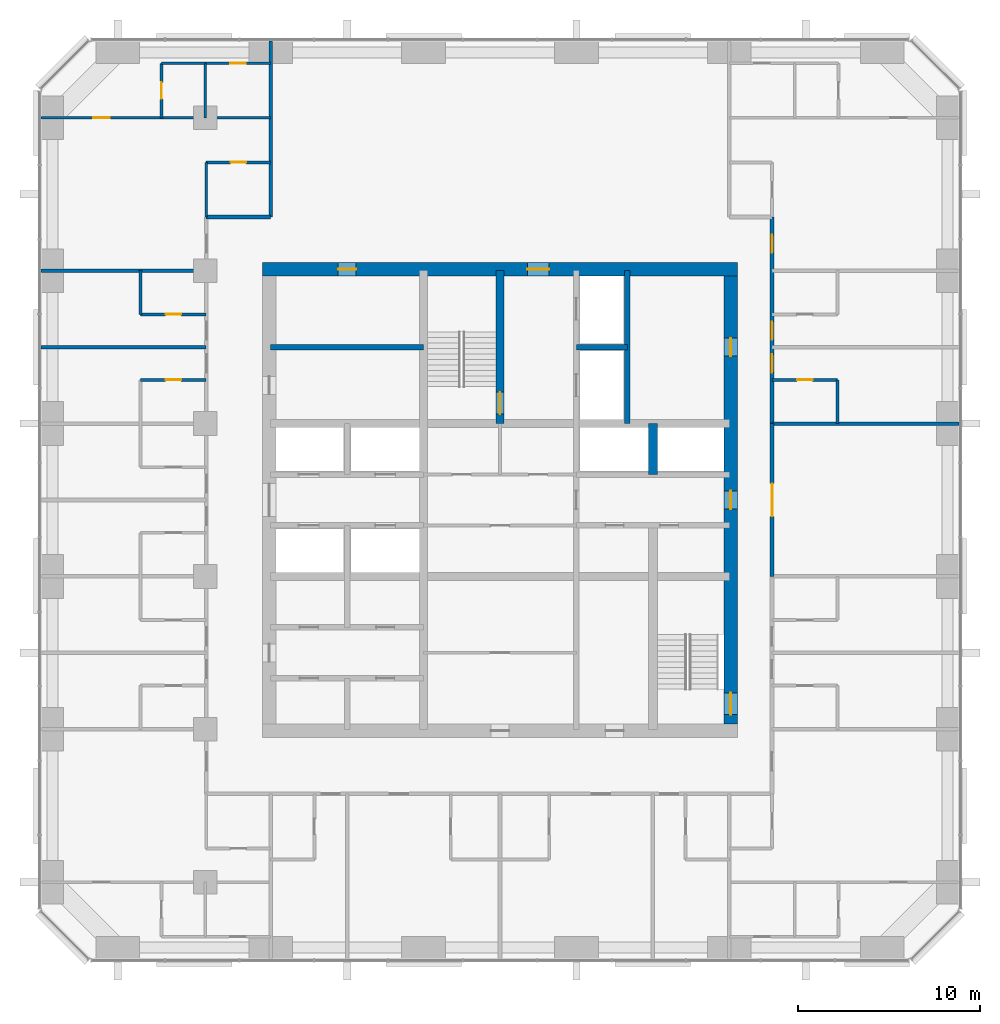
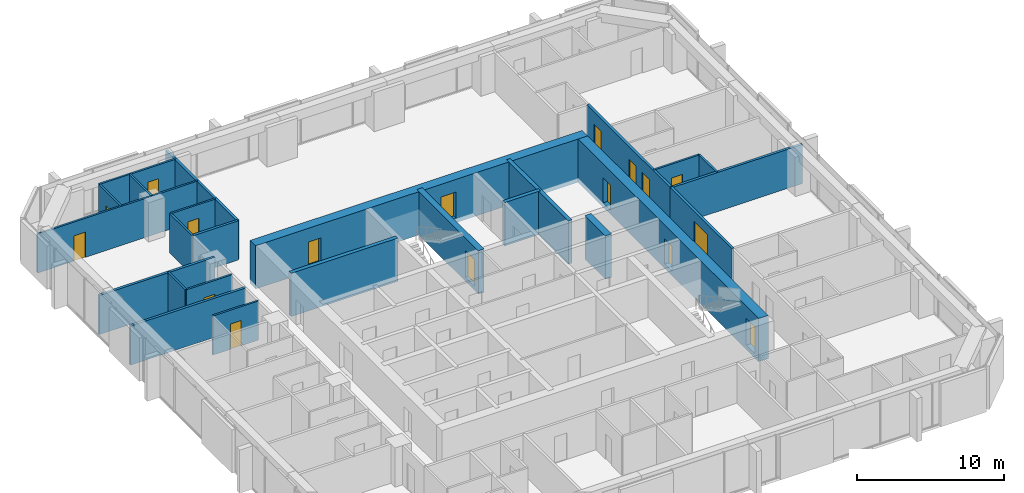
# One storey, part 11 of 13: 26 walls, 17 doors, 17 openings.
"""IFC4 building model written with IfcOpenShell, lengths in metres."""

from ifc_helpers import new_model, si_unit, direction, frame, frame_2d, origin, place, context, subcontext, project, spatial, rectangle, extrude, material, layer, layer_set, type_object, element, fill, save


model = new_model("IFC4")

# Units and contexts
model_context = context("Model", 3, precision=1e-05, world=origin(), true_north=direction((0.0, 1.0)))
body_context = subcontext(model_context, "Body", "Model", "MODEL_VIEW")
ifc_project = project(units=[si_unit("LENGTHUNIT", "METRE"), si_unit("AREAUNIT", "SQUARE_METRE"), si_unit("VOLUMEUNIT", "CUBIC_METRE"), si_unit("PLANEANGLEUNIT", "RADIAN"), si_unit("MASSUNIT", "GRAM", prefix="KILO")], contexts=[model_context])

# Site, building, storey
site_placement = place(None, origin())
site = spatial("IfcSite", under=ifc_project, at=site_placement, CompositionType="ELEMENT")
building_placement = place(site_placement, origin())
building = spatial("IfcBuilding", under=site, at=building_placement, Name="Dunama Terrace Hotel", CompositionType="ELEMENT")
storey_placement = place(building_placement, frame((0.0, 0.0, 173.39990234375)))
storey = spatial("IfcBuildingStorey", under=building, at=storey_placement, Name="L44", CompositionType="ELEMENT", Elevation=173.39990234375)

# Walls
ifc_material_1 = material(Name="Gypsum board partition", Category="masonry")
ifc_layer_1 = layer(ifc_material_1, 0.14990234375)
ifc_layer_set_1 = layer_set([ifc_layer_1], Name="Bathroom partition 150")
wall_type_1 = type_object("IfcWallType", Name="Bathroom partition 150", PredefinedType="PARTITIONING", material=ifc_layer_set_1)
wall_1_placement = place(storey_placement, frame((9.64990234375, 39.60009765625, 0.0), z_axis=(0.0, 0.0, 1.0), x_axis=(0.0, 1.0, 0.0)))
element("IfcWall", 1, at=wall_1_placement, inside=storey, type_object=wall_type_1, Name="Bathroom partition 150 L44", PredefinedType="PARTITIONING", context=body_context, shape_type="SweptSolid", body=[
    extrude(rectangle(XDim=2.39990234375, YDim=0.14990234375, at=frame_2d((1.199951171875, 0.0))), origin(), (0.0, 0.0, 1.0), 3.25),
])
wall_2_placement = place(storey_placement, frame((13.25, 44.949951171875, 0.0), z_axis=(0.0, 0.0, 1.0), x_axis=(0.0, 1.0, 0.0)))
element("IfcWall", 2, at=wall_2_placement, inside=storey, type_object=wall_type_1, Name="Bathroom partition 150 L44", PredefinedType="PARTITIONING", context=body_context, shape_type="SweptSolid", body=[
    extrude(rectangle(XDim=3.0, YDim=0.14990234375, at=frame_2d((1.5, 0.0))), origin(), (0.0, 0.0, 1.0), 3.25),
])
wall_3_placement = place(storey_placement, frame((47.949951171875, 33.60009765625, 0.0), z_axis=(0.0, 0.0, 1.0), x_axis=(0.0, 1.0, 0.0)))
element("IfcWall", 3, at=wall_3_placement, inside=storey, type_object=wall_type_1, Name="Bathroom partition 150 L44", PredefinedType="PARTITIONING", context=body_context, shape_type="SweptSolid", body=[
    extrude(rectangle(XDim=2.39990234375, YDim=0.14990234375, at=frame_2d((1.199951171875, 0.0))), origin(), (0.0, 0.0, 1.0), 3.25),
])

# Wall, opening, door
wall_4_placement = place(storey_placement, frame((9.64990234375, 36.0, 0.0), z_axis=(0.0, 0.0, 1.0), x_axis=(1.0, 0.0, 0.0)))
wall_4 = element("IfcWall", 4, at=wall_4_placement, inside=storey, type_object=wall_type_1, Name="Bathroom partition 150 L44", PredefinedType="PARTITIONING", context=body_context, shape_type="SweptSolid", body=[
    extrude(rectangle(XDim=3.60009765625, YDim=0.14990234375, at=frame_2d((1.800048828125, 0.0))), origin(), (0.0, 0.0, 1.0), 3.25),
])
opening_1_placement = place(wall_4_placement, frame((1.375, 0.0, 0.0)))
opening_1 = element("IfcOpeningElement", 5, at=opening_1_placement, cuts=wall_4, Name="Opening L42-44-035", PredefinedType="OPENING", context=body_context, shape_type="SweptSolid", body=[
    extrude(rectangle(XDim=0.85009765625, YDim=2.10009765625, at=frame_2d((0.425048828125, 1.050048828125))), frame((0.0, 0.0849609375, 0.0), z_axis=(0.0, -1.0, 0.0), x_axis=(1.0, 0.0, 0.0)), (0.0, 0.0, 1.0), 0.169921875),
])
ifc_material_2 = material(Name="Timber door with steel frame", Category="steel")
door_type_1 = type_object("IfcDoorType", Name="Bathroom door 850", OperationType="SINGLE_SWING_LEFT", PredefinedType="DOOR", material=ifc_material_2)
door_1_placement = place(opening_1_placement, frame((0.85009765625, 0.0, 0.0), z_axis=(0.0, 0.0, 1.0), x_axis=(-1.0, 0.0, 0.0)))
door_1 = element("IfcDoor", 6, at=door_1_placement, inside=storey, type_object=door_type_1, Name="Door to en-suite bathroom L42-44-035, type D2", OperationType="SINGLE_SWING_LEFT", OverallHeight=2.10009765625, OverallWidth=0.85009765625, PredefinedType="DOOR", context=body_context, shape_type="SweptSolid", body=[
    extrude(rectangle(XDim=0.85009765625, YDim=2.10009765625, at=frame_2d((0.425048828125, 1.050048828125))), frame((0.0, 0.025146484375, 0.0), z_axis=(0.0, -1.0, 0.0), x_axis=(1.0, 0.0, 0.0)), (0.0, 0.0, 1.0), 0.050048828125),
])
fill(opening_1, door_1)

wall_5_placement = place(storey_placement, frame((44.35009765625, 36.0, 0.0), z_axis=(0.0, 0.0, 1.0), x_axis=(1.0, 0.0, 0.0)))
wall_5 = element("IfcWall", 7, at=wall_5_placement, inside=storey, type_object=wall_type_1, Name="Bathroom partition 150 L44", PredefinedType="PARTITIONING", context=body_context, shape_type="SweptSolid", body=[
    extrude(rectangle(XDim=3.599853515625, YDim=0.14990234375, at=frame_2d((1.7998046875, 0.0))), origin(), (0.0, 0.0, 1.0), 3.25),
])
opening_2_placement = place(wall_5_placement, frame((1.375, 0.0, 0.0)))
opening_2 = element("IfcOpeningElement", 8, at=opening_2_placement, cuts=wall_5, Name="Opening L42-44-023", PredefinedType="OPENING", context=body_context, shape_type="SweptSolid", body=[
    extrude(rectangle(XDim=0.85009765625, YDim=2.10009765625, at=frame_2d((0.425048828125, 1.050048828125))), frame((0.0, 0.0849609375, 0.0), z_axis=(0.0, -1.0, 0.0), x_axis=(1.0, 0.0, 0.0)), (0.0, 0.0, 1.0), 0.169921875),
])
door_2_placement = place(opening_2_placement, frame((0.85009765625, 0.0, 0.0), z_axis=(0.0, 0.0, 1.0), x_axis=(-1.0, 0.0, 0.0)))
door_2 = element("IfcDoor", 9, at=door_2_placement, inside=storey, type_object=door_type_1, Name="Door to en-suite bathroom L42-44-023, type D2", OperationType="SINGLE_SWING_RIGHT", OverallHeight=2.10009765625, OverallWidth=0.85009765625, PredefinedType="DOOR", context=body_context, shape_type="SweptSolid", body=[
    extrude(rectangle(XDim=0.85009765625, YDim=2.10009765625, at=frame_2d((0.425048828125, 1.050048828125))), frame((0.0, 0.025146484375, 0.0), z_axis=(0.0, -1.0, 0.0), x_axis=(1.0, 0.0, 0.0)), (0.0, 0.0, 1.0), 0.050048828125),
])
fill(opening_2, door_2)

wall_6_placement = place(storey_placement, frame((9.64990234375, 39.60009765625, 0.0), z_axis=(0.0, 0.0, 1.0), x_axis=(1.0, 0.0, 0.0)))
wall_6 = element("IfcWall", 10, at=wall_6_placement, inside=storey, type_object=wall_type_1, Name="Bathroom partition 150 L44", PredefinedType="PARTITIONING", context=body_context, shape_type="SweptSolid", body=[
    extrude(rectangle(XDim=3.60009765625, YDim=0.14990234375, at=frame_2d((1.800048828125, 0.0))), origin(), (0.0, 0.0, 1.0), 3.25),
])
opening_3_placement = place(wall_6_placement, frame((1.375, 0.0, 0.0)))
opening_3 = element("IfcOpeningElement", 11, at=opening_3_placement, cuts=wall_6, Name="Opening L42-44-037", PredefinedType="OPENING", context=body_context, shape_type="SweptSolid", body=[
    extrude(rectangle(XDim=0.85009765625, YDim=2.10009765625, at=frame_2d((0.425048828125, 1.050048828125))), frame((0.0, 0.0849609375, 0.0), z_axis=(0.0, -1.0, 0.0), x_axis=(1.0, 0.0, 0.0)), (0.0, 0.0, 1.0), 0.169921875),
])
door_3_placement = place(opening_3_placement, origin())
door_3 = element("IfcDoor", 12, at=door_3_placement, inside=storey, type_object=door_type_1, Name="Door to en-suite bathroom L42-44-037, type D2", OperationType="SINGLE_SWING_RIGHT", OverallHeight=2.10009765625, OverallWidth=0.85009765625, PredefinedType="DOOR", context=body_context, shape_type="SweptSolid", body=[
    extrude(rectangle(XDim=0.85009765625, YDim=2.10009765625, at=frame_2d((0.425048828125, 1.050048828125))), frame((0.0, 0.02490234375, 0.0), z_axis=(0.0, -1.0, 0.0), x_axis=(1.0, 0.0, 0.0)), (0.0, 0.0, 1.0), 0.050048828125),
])
fill(opening_3, door_3)

wall_7_placement = place(storey_placement, frame((13.25, 47.949951171875, 0.0), z_axis=(0.0, 0.0, 1.0), x_axis=(1.0, 0.0, 0.0)))
wall_7 = element("IfcWall", 13, at=wall_7_placement, inside=storey, type_object=wall_type_1, Name="Bathroom partition 150 L44", PredefinedType="PARTITIONING", context=body_context, shape_type="SweptSolid", body=[
    extrude(rectangle(XDim=3.550048828125, YDim=0.14990234375, at=frame_2d((1.77490234375, 0.0))), origin(), (0.0, 0.0, 1.0), 3.25),
])
opening_4_placement = place(wall_7_placement, frame((1.35009765625, 0.0, 0.0)))
opening_4 = element("IfcOpeningElement", 14, at=opening_4_placement, cuts=wall_7, Name="Opening L42-44-054", PredefinedType="OPENING", context=body_context, shape_type="SweptSolid", body=[
    extrude(rectangle(XDim=0.85009765625, YDim=2.10009765625, at=frame_2d((0.425048828125, 1.050048828125))), frame((0.0, 0.0849609375, 0.0), z_axis=(0.0, -1.0, 0.0), x_axis=(1.0, 0.0, 0.0)), (0.0, 0.0, 1.0), 0.169921875),
])
door_4_placement = place(opening_4_placement, frame((0.85009765625, 0.0, 0.0), z_axis=(0.0, 0.0, 1.0), x_axis=(-1.0, 0.0, 0.0)))
door_4 = element("IfcDoor", 15, at=door_4_placement, inside=storey, type_object=door_type_1, Name="Door to powder room L42-44-054, type D2", OperationType="SINGLE_SWING_LEFT", OverallHeight=2.10009765625, OverallWidth=0.85009765625, PredefinedType="DOOR", context=body_context, shape_type="SweptSolid", body=[
    extrude(rectangle(XDim=0.85009765625, YDim=2.10009765625, at=frame_2d((0.425048828125, 1.050048828125))), frame((0.0, 0.025146484375, 0.0), z_axis=(0.0, -1.0, 0.0), x_axis=(1.0, 0.0, 0.0)), (0.0, 0.0, 1.0), 0.050048828125),
])
fill(opening_4, door_4)

wall_8_placement = place(storey_placement, frame((13.199951171875, 53.39990234375, 0.0), z_axis=(0.0, 0.0, 1.0), x_axis=(1.0, 0.0, 0.0)))
wall_8 = element("IfcWall", 16, at=wall_8_placement, inside=storey, type_object=wall_type_1, Name="Bathroom partition 150 L44", PredefinedType="PARTITIONING", context=body_context, shape_type="SweptSolid", body=[
    extrude(rectangle(XDim=3.60009765625, YDim=0.14990234375, at=frame_2d((1.800048828125, 0.0))), origin(), (0.0, 0.0, 1.0), 3.25),
])
opening_5_placement = place(wall_8_placement, frame((1.375, 0.0, 0.0)))
opening_5 = element("IfcOpeningElement", 17, at=opening_5_placement, cuts=wall_8, Name="Opening L42-44-056", PredefinedType="OPENING", context=body_context, shape_type="SweptSolid", body=[
    extrude(rectangle(XDim=0.85009765625, YDim=2.10009765625, at=frame_2d((0.425048828125, 1.050048828125))), frame((0.0, 0.0849609375, 0.0), z_axis=(0.0, -1.0, 0.0), x_axis=(1.0, 0.0, 0.0)), (0.0, 0.0, 1.0), 0.169921875),
])
door_5_placement = place(opening_5_placement, frame((0.85009765625, 0.0, 0.0), z_axis=(0.0, 0.0, 1.0), x_axis=(-1.0, 0.0, 0.0)))
door_5 = element("IfcDoor", 18, at=door_5_placement, inside=storey, type_object=door_type_1, Name="Door to en-suite bathroom L42-44-056, type D2", OperationType="SINGLE_SWING_LEFT", OverallHeight=2.10009765625, OverallWidth=0.85009765625, PredefinedType="DOOR", context=body_context, shape_type="SweptSolid", body=[
    extrude(rectangle(XDim=0.85009765625, YDim=2.10009765625, at=frame_2d((0.425048828125, 1.050048828125))), frame((0.0, 0.025146484375, 0.0), z_axis=(0.0, -1.0, 0.0), x_axis=(1.0, 0.0, 0.0)), (0.0, 0.0, 1.0), 0.050048828125),
])
fill(opening_5, door_5)

# Walls
ifc_material_3 = material(Name="Concrete C50/60", Category="concrete")
ifc_layer_2 = layer(ifc_material_3, 0.300048828125)
ifc_layer_set_2 = layer_set([ifc_layer_2], Name="Core inner wall 300")
wall_type_2 = type_object("IfcWallType", Name="Core inner wall 300", PredefinedType="SHEAR", material=ifc_layer_set_2)
for number, where, z_axis, x_axis, name in (
    (19, (36.39990234375, 33.60009765625, -0.349853515625), (0.0, 0.0, 1.0), (0.0, 1.0, 0.0), "Core inner wall 300 L44"),
    (20, (16.800048828125, 37.800048828125, -0.349853515625), (0.0, 0.0, 1.0), (1.0, 0.0, 0.0), "Core inner wall 300 L44"),
):
    element("IfcWall", number, at=place(storey_placement, frame(where, z_axis=z_axis, x_axis=x_axis)), inside=storey, type_object=wall_type_2, Name=name, PredefinedType="SHEAR", context=body_context, shape_type="SweptSolid", body=[
        extrude(rectangle(XDim=8.39990234375, YDim=0.300048828125, at=frame_2d((4.199951171875, 0.0))), origin(), (0.0, 0.0, 1.0), 3.599853515625),
    ])
wall_9_placement = place(storey_placement, frame((33.60009765625, 37.800048828125, -0.349853515625), z_axis=(0.0, 0.0, 1.0), x_axis=(1.0, 0.0, 0.0)))
element("IfcWall", 21, at=wall_9_placement, inside=storey, type_object=wall_type_2, Name="Core inner wall 300 L44", PredefinedType="SHEAR", context=body_context, shape_type="SweptSolid", body=[
    extrude(rectangle(XDim=2.7998046875, YDim=0.300048828125, at=frame_2d((1.39990234375, 0.0))), origin(), (0.0, 0.0, 1.0), 3.599853515625),
])

# Wall, opening, door
ifc_material_4 = material(Name="Concrete C50/60", Category="concrete")
ifc_layer_3 = layer(ifc_material_4, 0.449951171875)
ifc_layer_set_3 = layer_set([ifc_layer_3], Name="Core inner wall 450")
wall_type_3 = type_object("IfcWallType", Name="Core inner wall 450", PredefinedType="SHEAR", material=ifc_layer_set_3)
wall_10_placement = place(storey_placement, frame((29.39990234375, 33.60009765625, -0.349853515625), z_axis=(0.0, 0.0, 1.0), x_axis=(0.0, 1.0, 0.0)))
wall_10 = element("IfcWall", 22, at=wall_10_placement, inside=storey, type_object=wall_type_3, Name="Core inner wall 450 L44", PredefinedType="SHEAR", context=body_context, shape_type="SweptSolid", body=[
    extrude(rectangle(XDim=8.39990234375, YDim=0.449951171875, at=frame_2d((4.199951171875, 0.0))), origin(), (0.0, 0.0, 1.0), 3.599853515625),
])
opening_6_placement = place(wall_10_placement, frame((0.52490234375, 0.0, 0.35009765625)))
opening_6 = element("IfcOpeningElement", 23, at=opening_6_placement, cuts=wall_10, Name="Opening L42-44-001", PredefinedType="OPENING", context=body_context, shape_type="SweptSolid", body=[
    extrude(rectangle(XDim=1.199951171875, YDim=2.199951171875, at=frame_2d((0.60009765625, 1.10009765625))), frame((0.0, 0.23486328125, 0.0), z_axis=(0.0, -1.0, 0.0), x_axis=(1.0, 0.0, 0.0)), (0.0, 0.0, 1.0), 0.469970703125),
])
ifc_material_5 = material(Name="Timber door with steel frame", Category="steel")
door_type_2 = type_object("IfcDoorType", Name="Stair door 1200", OperationType="SINGLE_SWING_LEFT", PredefinedType="DOOR", material=ifc_material_5)
door_6_placement = place(opening_6_placement, origin())
door_6 = element("IfcDoor", 24, at=door_6_placement, inside=storey, type_object=door_type_2, Name="Stair door ST1 L42-44-001, type D5", OperationType="SINGLE_SWING_LEFT", OverallHeight=2.199951171875, OverallWidth=1.199951171875, PredefinedType="DOOR", context=body_context, shape_type="SweptSolid", body=[
    extrude(rectangle(XDim=1.199951171875, YDim=2.199951171875, at=frame_2d((0.60009765625, 1.10009765625))), frame((0.0, 0.02490234375, 0.0), z_axis=(0.0, -1.0, 0.0), x_axis=(1.0, 0.0, 0.0)), (0.0, 0.0, 1.0), 0.050048828125),
])
fill(opening_6, door_6)

# Wall
ifc_material_6 = material(Name="Concrete C50/60", Category="concrete")
ifc_layer_4 = layer(ifc_material_6, 0.5)
ifc_layer_set_4 = layer_set([ifc_layer_4], Name="Core inner wall 500")
wall_type_4 = type_object("IfcWallType", Name="Core inner wall 500", PredefinedType="SHEAR", material=ifc_layer_set_4)
wall_11_placement = place(storey_placement, frame((37.800048828125, 30.800048828125, -0.349853515625), z_axis=(0.0, 0.0, 1.0), x_axis=(0.0, 1.0, 0.0)))
element("IfcWall", 25, at=wall_11_placement, inside=storey, type_object=wall_type_4, Name="Core inner wall 500 L44", PredefinedType="SHEAR", context=body_context, shape_type="SweptSolid", body=[
    extrude(rectangle(XDim=2.800048828125, YDim=0.5, at=frame_2d((1.39990234375, 0.0))), origin(), (0.0, 0.0, 1.0), 3.599853515625),
])

# Wall, openings, doors
ifc_material_7 = material(Name="Concrete C60/75", Category="concrete")
ifc_layer_5 = layer(ifc_material_7, 0.75)
ifc_layer_set_5 = layer_set([ifc_layer_5], Name="Core wall 750")
wall_type_5 = type_object("IfcWallType", Name="Core wall 750", PredefinedType="SHEAR", material=ifc_layer_set_5)
wall_12_placement = place(storey_placement, frame((42.074951171875, 17.10009765625, -0.349853515625), z_axis=(0.0, 0.0, 1.0), x_axis=(0.0, 1.0, 0.0)))
wall_12 = element("IfcWall", 26, at=wall_12_placement, inside=storey, type_object=wall_type_5, Name="Core wall east L44", PredefinedType="SHEAR", context=body_context, shape_type="SweptSolid", body=[
    extrude(rectangle(XDim=24.599853515625, YDim=0.75, at=frame_2d((12.2998046875, 0.0))), origin(), (0.0, 0.0, 1.0), 3.599853515625),
])
opening_7_placement = place(wall_12_placement, frame((0.5, 0.0, 0.35009765625)))
opening_7 = element("IfcOpeningElement", 27, at=opening_7_placement, cuts=wall_12, Name="Opening L42-44-002", PredefinedType="OPENING", context=body_context, shape_type="SweptSolid", body=[
    extrude(rectangle(XDim=1.199951171875, YDim=2.199951171875, at=frame_2d((0.60009765625, 1.10009765625))), frame((0.0, 0.385009765625, 0.0), z_axis=(0.0, -1.0, 0.0), x_axis=(1.0, 0.0, 0.0)), (0.0, 0.0, 1.0), 0.77001953125),
])
opening_8_placement = place(wall_12_placement, frame((11.800048828125, 0.0, 0.35009765625)))
opening_8 = element("IfcOpeningElement", 28, at=opening_8_placement, cuts=wall_12, Name="Opening L42-44-072", PredefinedType="OPENING", context=body_context, shape_type="SweptSolid", body=[
    extrude(rectangle(XDim=1.0, YDim=2.10009765625, at=frame_2d((0.5, 1.050048828125))), frame((0.0, 0.385009765625, 0.0), z_axis=(0.0, -1.0, 0.0), x_axis=(1.0, 0.0, 0.0)), (0.0, 0.0, 1.0), 0.77001953125),
])
opening_9_placement = place(wall_12_placement, frame((20.199951171875, 0.0, 0.35009765625)))
opening_9 = element("IfcOpeningElement", 29, at=opening_9_placement, cuts=wall_12, Name="Opening L42-44-074", PredefinedType="OPENING", context=body_context, shape_type="SweptSolid", body=[
    extrude(rectangle(XDim=1.0, YDim=2.10009765625, at=frame_2d((0.5, 1.050048828125))), frame((0.0, 0.385009765625, 0.0), z_axis=(0.0, -1.0, 0.0), x_axis=(1.0, 0.0, 0.0)), (0.0, 0.0, 1.0), 0.77001953125),
])
ifc_material_8 = material(Name="Timber door with steel frame", Category="steel")
door_type_3 = type_object("IfcDoorType", Name="Service door 1000", OperationType="SINGLE_SWING_LEFT", PredefinedType="DOOR", material=ifc_material_8)
door_7_placement = place(opening_8_placement, origin())
door_7 = element("IfcDoor", 30, at=door_7_placement, inside=storey, type_object=door_type_3, Name="Door to service lobby L42-44-072, type D7", OperationType="SINGLE_SWING_RIGHT", OverallHeight=2.10009765625, OverallWidth=1.0, PredefinedType="DOOR", context=body_context, shape_type="SweptSolid", body=[
    extrude(rectangle(XDim=1.0, YDim=2.10009765625, at=frame_2d((0.5, 1.050048828125))), frame((0.0, 0.02490234375, 0.0), z_axis=(0.0, -1.0, 0.0), x_axis=(1.0, 0.0, 0.0)), (0.0, 0.0, 1.0), 0.050048828125),
])
fill(opening_8, door_7)
door_8_placement = place(opening_9_placement, origin())
door_8 = element("IfcDoor", 31, at=door_8_placement, inside=storey, type_object=door_type_3, Name="Door to ice and vending room L42-44-074, type D7", OperationType="SINGLE_SWING_LEFT", OverallHeight=2.10009765625, OverallWidth=1.0, PredefinedType="DOOR", context=body_context, shape_type="SweptSolid", body=[
    extrude(rectangle(XDim=1.0, YDim=2.10009765625, at=frame_2d((0.5, 1.050048828125))), frame((0.0, 0.02490234375, 0.0), z_axis=(0.0, -1.0, 0.0), x_axis=(1.0, 0.0, 0.0)), (0.0, 0.0, 1.0), 0.050048828125),
])
fill(opening_9, door_8)
door_9_placement = place(opening_7_placement, origin())
door_9 = element("IfcDoor", 32, at=door_9_placement, inside=storey, type_object=door_type_2, Name="Stair door ST2 L42-44-002, type D5", OperationType="SINGLE_SWING_LEFT", OverallHeight=2.199951171875, OverallWidth=1.199951171875, PredefinedType="DOOR", context=body_context, shape_type="SweptSolid", body=[
    extrude(rectangle(XDim=1.199951171875, YDim=2.199951171875, at=frame_2d((0.60009765625, 1.10009765625))), frame((0.0, 0.02490234375, 0.0), z_axis=(0.0, -1.0, 0.0), x_axis=(1.0, 0.0, 0.0)), (0.0, 0.0, 1.0), 0.050048828125),
])
fill(opening_7, door_9)

wall_13_placement = place(storey_placement, frame((42.449951171875, 42.074951171875, -0.349853515625), z_axis=(0.0, 0.0, 1.0), x_axis=(-1.0, 0.0, 0.0)))
wall_13 = element("IfcWall", 33, at=wall_13_placement, inside=storey, type_object=wall_type_5, Name="Core wall north L44", PredefinedType="SHEAR", context=body_context, shape_type="SweptSolid", body=[
    extrude(rectangle(XDim=26.099853515625, YDim=0.75, at=frame_2d((13.0498046875, 0.0))), origin(), (0.0, 0.0, 1.0), 3.599853515625),
])
opening_10_placement = place(wall_13_placement, frame((20.949951171875, 0.0, 0.35009765625)))
opening_10 = element("IfcOpeningElement", 34, at=opening_10_placement, cuts=wall_13, Name="Opening L42-44-065", PredefinedType="OPENING", context=body_context, shape_type="SweptSolid", body=[
    extrude(rectangle(XDim=1.0, YDim=2.10009765625, at=frame_2d((0.5, 1.050048828125))), frame((0.0, 0.385009765625, 0.0), z_axis=(0.0, -1.0, 0.0), x_axis=(1.0, 0.0, 0.0)), (0.0, 0.0, 1.0), 0.77001953125),
])
opening_11_placement = place(wall_13_placement, frame((10.35009765625, 0.0, 0.35009765625)))
opening_11 = element("IfcOpeningElement", 35, at=opening_11_placement, cuts=wall_13, Name="Opening L42-44-073", PredefinedType="OPENING", context=body_context, shape_type="SweptSolid", body=[
    extrude(rectangle(XDim=1.199951171875, YDim=2.199951171875, at=frame_2d((0.60009765625, 1.10009765625))), frame((0.0, 0.385009765625, 0.0), z_axis=(0.0, -1.0, 0.0), x_axis=(1.0, 0.0, 0.0)), (0.0, 0.0, 1.0), 0.77001953125),
])
ifc_material_9 = material(Name="Timber door with steel frame", Category="steel")
door_type_4 = type_object("IfcDoorType", Name="Firefighting lobby door 1200", OperationType="SINGLE_SWING_LEFT", PredefinedType="DOOR", material=ifc_material_9)
door_10_placement = place(opening_11_placement, origin())
door_10 = element("IfcDoor", 36, at=door_10_placement, inside=storey, type_object=door_type_4, Name="Door to firefighting lobby L42-44-073, type D4", OperationType="SINGLE_SWING_RIGHT", OverallHeight=2.199951171875, OverallWidth=1.199951171875, PredefinedType="DOOR", context=body_context, shape_type="SweptSolid", body=[
    extrude(rectangle(XDim=1.199951171875, YDim=2.199951171875, at=frame_2d((0.60009765625, 1.10009765625))), frame((0.0, 0.02490234375, 0.0), z_axis=(0.0, -1.0, 0.0), x_axis=(1.0, 0.0, 0.0)), (0.0, 0.0, 1.0), 0.050048828125),
])
fill(opening_11, door_10)
door_11_placement = place(opening_10_placement, origin())
door_11 = element("IfcDoor", 37, at=door_11_placement, inside=storey, type_object=door_type_3, Name="Door to communications and riser room L42-44-065, type D7", OperationType="SINGLE_SWING_LEFT", OverallHeight=2.10009765625, OverallWidth=1.0, PredefinedType="DOOR", context=body_context, shape_type="SweptSolid", body=[
    extrude(rectangle(XDim=1.0, YDim=2.10009765625, at=frame_2d((0.5, 1.050048828125))), frame((0.0, 0.02490234375, 0.0), z_axis=(0.0, -1.0, 0.0), x_axis=(1.0, 0.0, 0.0)), (0.0, 0.0, 1.0), 0.050048828125),
])
fill(opening_10, door_11)

# Wall
ifc_material_10 = material(Name="Concrete blockwork", Category="masonry")
ifc_layer_6 = layer(ifc_material_10, 0.199951171875)
ifc_layer_set_6 = layer_set([ifc_layer_6], Name="Corridor partition 200")
wall_type_6 = type_object("IfcWallType", Name="Corridor partition 200", PredefinedType="PARTITIONING", material=ifc_layer_set_6)
wall_14_placement = place(storey_placement, frame((16.800048828125, 44.949951171875, 0.0), z_axis=(0.0, 0.0, 1.0), x_axis=(0.0, 1.0, 0.0)))
element("IfcWall", 38, at=wall_14_placement, inside=storey, type_object=wall_type_6, Name="Corridor partition 200 L44", PredefinedType="PARTITIONING", context=body_context, shape_type="SweptSolid", body=[
    extrude(rectangle(XDim=9.66796875, YDim=0.199951171875, at=frame_2d((4.833984375, 0.0))), origin(), (0.0, 0.0, 1.0), 3.25),
])

# Wall, opening, door
wall_15_placement = place(storey_placement, frame((44.35009765625, 25.199951171875, 0.0), z_axis=(0.0, 0.0, 1.0), x_axis=(0.0, 1.0, 0.0)))
wall_15 = element("IfcWall", 39, at=wall_15_placement, inside=storey, type_object=wall_type_6, Name="Corridor partition 200 L44", PredefinedType="PARTITIONING", context=body_context, shape_type="SweptSolid", body=[
    extrude(rectangle(XDim=8.400146484375, YDim=0.199951171875, at=frame_2d((4.2001953125, 0.0))), origin(), (0.0, 0.0, 1.0), 3.25),
])
opening_12_placement = place(wall_15_placement, frame((3.300048828125, 0.0, 0.0)))
opening_12 = element("IfcOpeningElement", 40, at=opening_12_placement, cuts=wall_15, Name="Opening L42-44-021", PredefinedType="OPENING", context=body_context, shape_type="SweptSolid", body=[
    extrude(rectangle(XDim=1.800048828125, YDim=2.39990234375, at=frame_2d((0.89990234375, 1.199951171875))), frame((0.0, 0.10986328125, 0.0), z_axis=(0.0, -1.0, 0.0), x_axis=(1.0, 0.0, 0.0)), (0.0, 0.0, 1.0), 0.219970703125),
])
ifc_material_11 = material(Name="Aluminium-framed glazed door", Category="aluminium")
door_type_5 = type_object("IfcDoorType", Name="Glazed double door 1800", OperationType="DOUBLE_DOOR_DOUBLE_SWING", PredefinedType="DOOR", material=ifc_material_11)
door_12_placement = place(opening_12_placement, origin())
door_12 = element("IfcDoor", 41, at=door_12_placement, inside=storey, type_object=door_type_5, Name="Door to boardroom L42-44-021, type D8", OperationType="DOUBLE_DOOR_DOUBLE_SWING", OverallHeight=2.39990234375, OverallWidth=1.800048828125, PredefinedType="DOOR", context=body_context, shape_type="SweptSolid", body=[
    extrude(rectangle(XDim=1.800048828125, YDim=2.39990234375, at=frame_2d((0.89990234375, 1.199951171875))), frame((0.0, 0.02490234375, 0.0), z_axis=(0.0, -1.0, 0.0), x_axis=(1.0, 0.0, 0.0)), (0.0, 0.0, 1.0), 0.050048828125),
])
fill(opening_12, door_12)

# Wall
wall_16_placement = place(storey_placement, frame((13.25, 44.949951171875, 0.0), z_axis=(0.0, 0.0, 1.0), x_axis=(1.0, 0.0, 0.0)))
element("IfcWall", 42, at=wall_16_placement, inside=storey, type_object=wall_type_6, Name="Corridor partition 200 L44", PredefinedType="PARTITIONING", context=body_context, shape_type="SweptSolid", body=[
    extrude(rectangle(XDim=3.550048828125, YDim=0.199951171875, at=frame_2d((1.77490234375, 0.0))), origin(), (0.0, 0.0, 1.0), 3.25),
])

# Wall, openings, doors
wall_17_placement = place(storey_placement, frame((44.35009765625, 44.949951171875, 0.0), z_axis=(0.0, 0.0, 1.0), x_axis=(0.0, -1.0, 0.0)))
wall_17 = element("IfcWall", 43, at=wall_17_placement, inside=storey, type_object=wall_type_6, Name="Corridor partition 200 L44", PredefinedType="PARTITIONING", context=body_context, shape_type="SweptSolid", body=[
    extrude(rectangle(XDim=11.349853515625, YDim=0.199951171875, at=frame_2d((5.6748046875, 0.0))), origin(), (0.0, 0.0, 1.0), 3.25),
])
opening_13_placement = place(wall_17_placement, frame((7.550048828125, 0.0, 0.0)))
opening_13 = element("IfcOpeningElement", 44, at=opening_13_placement, cuts=wall_17, Name="Opening L42-44-022", PredefinedType="OPENING", context=body_context, shape_type="SweptSolid", body=[
    extrude(rectangle(XDim=1.0, YDim=2.199951171875, at=frame_2d((0.5, 1.10009765625))), frame((0.0, 0.10986328125, 0.0), z_axis=(0.0, -1.0, 0.0), x_axis=(1.0, 0.0, 0.0)), (0.0, 0.0, 1.0), 0.219970703125),
])
opening_14_placement = place(wall_17_placement, frame((5.75, 0.0, 0.0)))
opening_14 = element("IfcOpeningElement", 45, at=opening_14_placement, cuts=wall_17, Name="Opening L42-44-024", PredefinedType="OPENING", context=body_context, shape_type="SweptSolid", body=[
    extrude(rectangle(XDim=1.0, YDim=2.199951171875, at=frame_2d((0.5, 1.10009765625))), frame((0.0, 0.10986328125, 0.0), z_axis=(0.0, -1.0, 0.0), x_axis=(1.0, 0.0, 0.0)), (0.0, 0.0, 1.0), 0.219970703125),
])
opening_15_placement = place(wall_17_placement, frame((0.97509765625, 0.0, 0.0)))
opening_15 = element("IfcOpeningElement", 46, at=opening_15_placement, cuts=wall_17, Name="Opening L42-44-048", PredefinedType="OPENING", context=body_context, shape_type="SweptSolid", body=[
    extrude(rectangle(XDim=1.0, YDim=2.199951171875, at=frame_2d((0.5, 1.10009765625))), frame((0.0, 0.10986328125, 0.0), z_axis=(0.0, -1.0, 0.0), x_axis=(1.0, 0.0, 0.0)), (0.0, 0.0, 1.0), 0.219970703125),
])
ifc_material_12 = material(Name="Timber door with steel frame", Category="steel")
door_type_6 = type_object("IfcDoorType", Name="Guest room door 1000", OperationType="SINGLE_SWING_LEFT", PredefinedType="DOOR", material=ifc_material_12)
door_13_placement = place(opening_13_placement, origin())
door_13 = element("IfcDoor", 47, at=door_13_placement, inside=storey, type_object=door_type_6, Name="Door to club room L42-44-022, type D1", OperationType="SINGLE_SWING_LEFT", OverallHeight=2.199951171875, OverallWidth=1.0, PredefinedType="DOOR", context=body_context, shape_type="SweptSolid", body=[
    extrude(rectangle(XDim=1.0, YDim=2.199951171875, at=frame_2d((0.5, 1.10009765625))), frame((0.0, 0.02490234375, 0.0), z_axis=(0.0, -1.0, 0.0), x_axis=(1.0, 0.0, 0.0)), (0.0, 0.0, 1.0), 0.050048828125),
])
fill(opening_13, door_13)
door_14_placement = place(opening_14_placement, origin())
door_14 = element("IfcDoor", 48, at=door_14_placement, inside=storey, type_object=door_type_6, Name="Door to club room L42-44-024, type D1", OperationType="SINGLE_SWING_RIGHT", OverallHeight=2.199951171875, OverallWidth=1.0, PredefinedType="DOOR", context=body_context, shape_type="SweptSolid", body=[
    extrude(rectangle(XDim=1.0, YDim=2.199951171875, at=frame_2d((0.5, 1.10009765625))), frame((0.0, 0.02490234375, 0.0), z_axis=(0.0, -1.0, 0.0), x_axis=(1.0, 0.0, 0.0)), (0.0, 0.0, 1.0), 0.050048828125),
])
fill(opening_14, door_14)
door_15_placement = place(opening_15_placement, origin())
door_15 = element("IfcDoor", 49, at=door_15_placement, inside=storey, type_object=door_type_6, Name="Door to corner suite living room L42-44-048, type D1", OperationType="SINGLE_SWING_RIGHT", OverallHeight=2.199951171875, OverallWidth=1.0, PredefinedType="DOOR", context=body_context, shape_type="SweptSolid", body=[
    extrude(rectangle(XDim=1.0, YDim=2.199951171875, at=frame_2d((0.5, 1.10009765625))), frame((0.0, 0.02490234375, 0.0), z_axis=(0.0, -1.0, 0.0), x_axis=(1.0, 0.0, 0.0)), (0.0, 0.0, 1.0), 0.050048828125),
])
fill(opening_15, door_15)

# Walls
ifc_material_13 = material(Name="Concrete blockwork", Category="masonry")
ifc_layer_7 = layer(ifc_material_13, 0.199951171875)
ifc_layer_set_7 = layer_set([ifc_layer_7], Name="Party wall 200")
wall_type_7 = type_object("IfcWallType", Name="Party wall 200", PredefinedType="PARTITIONING", material=ifc_layer_set_7)
wall_18_placement = place(storey_placement, frame((44.35009765625, 33.60009765625, 0.0), z_axis=(0.0, 0.0, 1.0), x_axis=(1.0, 0.0, 0.0)))
element("IfcWall", 50, at=wall_18_placement, inside=storey, type_object=wall_type_7, Name="Party wall 200 L44", PredefinedType="PARTITIONING", context=body_context, shape_type="SweptSolid", body=[
    extrude(rectangle(XDim=10.267822265625, YDim=0.199951171875, at=frame_2d((5.1337890625, 0.0))), origin(), (0.0, 0.0, 1.0), 3.25),
])
for number, where, z_axis, x_axis, name in (
    (51, (4.181884765625, 37.800048828125, 0.0), (0.0, 0.0, 1.0), (1.0, 0.0, 0.0), "Party wall 200 L44"),
    (52, (4.181884765625, 42.0, 0.0), (0.0, 0.0, 1.0), (1.0, 0.0, 0.0), "Party wall 200 L44"),
):
    element("IfcWall", number, at=place(storey_placement, frame(where, z_axis=z_axis, x_axis=x_axis)), inside=storey, type_object=wall_type_7, Name=name, PredefinedType="PARTITIONING", context=body_context, shape_type="SweptSolid", body=[
        extrude(rectangle(XDim=9.068115234375, YDim=0.199951171875, at=frame_2d((4.5341796875, 0.0))), origin(), (0.0, 0.0, 1.0), 3.25),
    ])

# Wall, opening, door
ifc_material_14 = material(Name="Gypsum board partition", Category="masonry")
ifc_layer_8 = layer(ifc_material_14, 0.14990234375)
ifc_layer_set_8 = layer_set([ifc_layer_8], Name="Room partition 150")
wall_type_8 = type_object("IfcWallType", Name="Room partition 150", PredefinedType="PARTITIONING", material=ifc_layer_set_8)
wall_19_placement = place(storey_placement, frame((10.800048828125, 50.39990234375, 0.0), z_axis=(0.0, 0.0, 1.0), x_axis=(0.0, 1.0, 0.0)))
wall_19 = element("IfcWall", 53, at=wall_19_placement, inside=storey, type_object=wall_type_8, Name="Room partition 150 L44", PredefinedType="PARTITIONING", context=body_context, shape_type="SweptSolid", body=[
    extrude(rectangle(XDim=3.0, YDim=0.14990234375, at=frame_2d((1.5, 0.0))), origin(), (0.0, 0.0, 1.0), 3.25),
])
opening_16_placement = place(wall_19_placement, frame((1.050048828125, 0.0, 0.0)))
opening_16 = element("IfcOpeningElement", 54, at=opening_16_placement, cuts=wall_19, Name="Opening L42-44-057", PredefinedType="OPENING", context=body_context, shape_type="SweptSolid", body=[
    extrude(rectangle(XDim=0.89990234375, YDim=2.10009765625, at=frame_2d((0.449951171875, 1.050048828125))), frame((0.0, 0.0849609375, 0.0), z_axis=(0.0, -1.0, 0.0), x_axis=(1.0, 0.0, 0.0)), (0.0, 0.0, 1.0), 0.169921875),
])
ifc_material_15 = material(Name="Timber door with steel frame", Category="steel")
door_type_7 = type_object("IfcDoorType", Name="Suite internal door 900", OperationType="SINGLE_SWING_LEFT", PredefinedType="DOOR", material=ifc_material_15)
door_16_placement = place(opening_16_placement, frame((0.89990234375, 0.0, 0.0), z_axis=(0.0, 0.0, 1.0), x_axis=(-1.0, 0.0, 0.0)))
door_16 = element("IfcDoor", 55, at=door_16_placement, inside=storey, type_object=door_type_7, Name="Door to dressing room L42-44-057, type D16", OperationType="SINGLE_SWING_RIGHT", OverallHeight=2.10009765625, OverallWidth=0.89990234375, PredefinedType="DOOR", context=body_context, shape_type="SweptSolid", body=[
    extrude(rectangle(XDim=0.89990234375, YDim=2.10009765625, at=frame_2d((0.449951171875, 1.050048828125))), frame((0.0, 0.025146484375, 0.0), z_axis=(0.0, -1.0, 0.0), x_axis=(1.0, 0.0, 0.0)), (0.0, 0.0, 1.0), 0.050048828125),
])
fill(opening_16, door_16)

# Wall
wall_20_placement = place(storey_placement, frame((13.199951171875, 50.39990234375, 0.0), z_axis=(0.0, 0.0, 1.0), x_axis=(0.0, 1.0, 0.0)))
element("IfcWall", 56, at=wall_20_placement, inside=storey, type_object=wall_type_8, Name="Room partition 150 L44", PredefinedType="PARTITIONING", context=body_context, shape_type="SweptSolid", body=[
    extrude(rectangle(XDim=3.0, YDim=0.14990234375, at=frame_2d((1.5, 0.0))), origin(), (0.0, 0.0, 1.0), 3.25),
])

# Wall, opening, door
wall_21_placement = place(storey_placement, frame((4.181884765625, 50.39990234375, 0.0), z_axis=(0.0, 0.0, 1.0), x_axis=(1.0, 0.0, 0.0)))
wall_21 = element("IfcWall", 57, at=wall_21_placement, inside=storey, type_object=wall_type_8, Name="Room partition 150 L44", PredefinedType="PARTITIONING", context=body_context, shape_type="SweptSolid", body=[
    extrude(rectangle(XDim=12.6181640625, YDim=0.14990234375, at=frame_2d((6.30908203125, 0.0))), origin(), (0.0, 0.0, 1.0), 3.25),
])
opening_17_placement = place(wall_21_placement, frame((2.867919921875, 0.0, 0.0)))
opening_17 = element("IfcOpeningElement", 58, at=opening_17_placement, cuts=wall_21, Name="Opening L42-44-055", PredefinedType="OPENING", context=body_context, shape_type="SweptSolid", body=[
    extrude(rectangle(XDim=0.89990234375, YDim=2.10009765625, at=frame_2d((0.449951171875, 1.050048828125))), frame((0.0, 0.0849609375, 0.0), z_axis=(0.0, -1.0, 0.0), x_axis=(1.0, 0.0, 0.0)), (0.0, 0.0, 1.0), 0.169921875),
])
door_17_placement = place(opening_17_placement, origin())
door_17 = element("IfcDoor", 59, at=door_17_placement, inside=storey, type_object=door_type_7, Name="Door to corner suite bedroom L42-44-055, type D16", OperationType="SINGLE_SWING_LEFT", OverallHeight=2.10009765625, OverallWidth=0.89990234375, PredefinedType="DOOR", context=body_context, shape_type="SweptSolid", body=[
    extrude(rectangle(XDim=0.89990234375, YDim=2.10009765625, at=frame_2d((0.449951171875, 1.050048828125))), frame((0.0, 0.02490234375, 0.0), z_axis=(0.0, -1.0, 0.0), x_axis=(1.0, 0.0, 0.0)), (0.0, 0.0, 1.0), 0.050048828125),
])
fill(opening_17, door_17)

# Wall
wall_22_placement = place(storey_placement, frame((10.800048828125, 53.39990234375, 0.0), z_axis=(0.0, 0.0, 1.0), x_axis=(1.0, 0.0, 0.0)))
element("IfcWall", 60, at=wall_22_placement, inside=storey, type_object=wall_type_8, Name="Room partition 150 L44", PredefinedType="PARTITIONING", context=body_context, shape_type="SweptSolid", body=[
    extrude(rectangle(XDim=2.39990234375, YDim=0.14990234375, at=frame_2d((1.199951171875, 0.0))), origin(), (0.0, 0.0, 1.0), 3.25),
])

save(model, "model.ifc")
